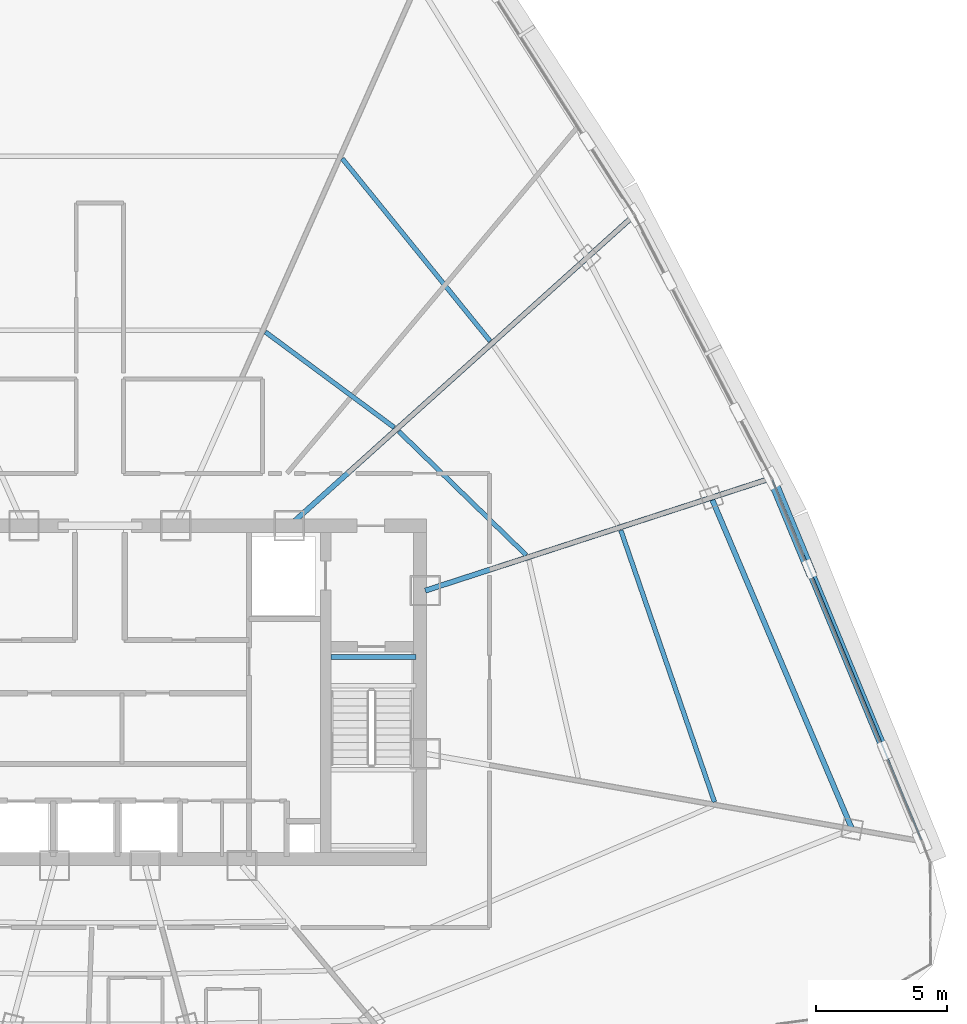
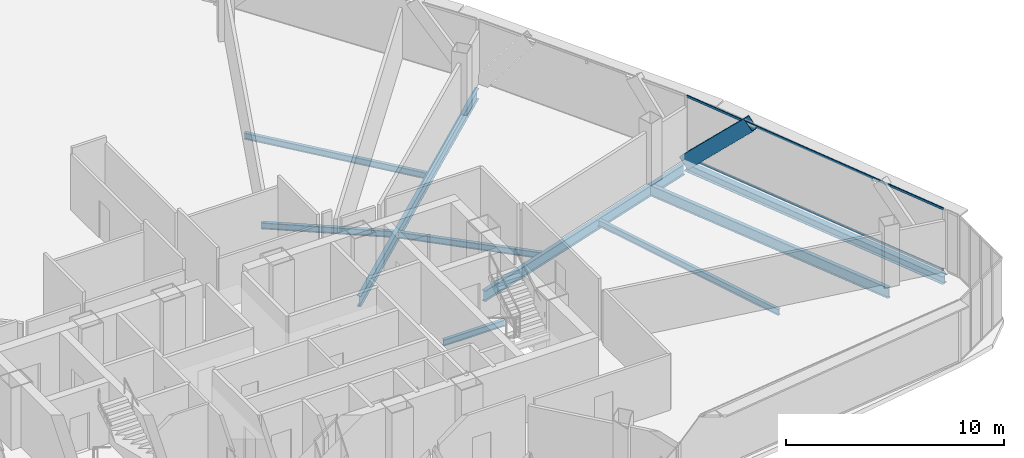
# One storey, part 17 of 40: 9 beams, 3 members, 1 element without a shape of its own.
"""IFC4 building model written with IfcOpenShell, lengths in metres."""

from ifc_helpers import new_model, si_unit, direction, frame, origin, origin_2d, place, context, subcontext, project, spatial, hollow_rectangle, i_section, extrude, source, transform, mapped, material, layer, layer_set, material_profile, profile_set, type_object, element, aggregate, save


model = new_model("IFC4")

# Units and contexts
model_context = context("Model", 3, precision=1e-05, world=origin(), true_north=direction((0.0, 1.0)))
body_context = subcontext(model_context, "Body", "Model", "MODEL_VIEW")
ifc_project = project(units=[si_unit("LENGTHUNIT", "METRE"), si_unit("AREAUNIT", "SQUARE_METRE"), si_unit("VOLUMEUNIT", "CUBIC_METRE"), si_unit("PLANEANGLEUNIT", "RADIAN"), si_unit("MASSUNIT", "GRAM", prefix="KILO"), si_unit("THERMODYNAMICTEMPERATUREUNIT", "KELVIN"), si_unit("POWERUNIT", "WATT")], contexts=[model_context])

# Site, building, storey
site_placement = place(None, origin())
site = spatial("IfcSite", under=ifc_project, at=site_placement, CompositionType="ELEMENT")
building_placement = place(site_placement, origin())
building = spatial("IfcBuilding", under=site, at=building_placement, Name="Yunzhuo Pagoda Commons", CompositionType="ELEMENT")
storey_placement = place(building_placement, frame((0.0, 0.0, 288.75)))
storey = spatial("IfcBuildingStorey", under=building, at=storey_placement, Name="L72", CompositionType="ELEMENT", Elevation=288.75)

# Beams
ifc_material_1 = material(Name="Structural steel Q355B", Category="steel")
ifc_material_profile_1 = material_profile(ifc_material_1, i_section(OverallWidth=0.175048828125, OverallDepth=0.35009765625, WebThickness=0.007080078125, FlangeThickness=0.010986328125, at=origin_2d()), Name="Structural steel Q355B")
ifc_profile_set_1 = profile_set([ifc_material_profile_1], Name="Structural steel Q355B")
beam_type_1 = type_object("IfcBeamType", Name="B-JS2 Joist HN 350x175x7x11", PredefinedType="JOIST", material=ifc_profile_set_1)
shared_shape_1 = source(origin(), body_context, "Body", "SweptSolid", [
    extrude(i_section(OverallWidth=0.175048828125, OverallDepth=0.35009765625, WebThickness=0.007080078125, FlangeThickness=0.010986328125, at=origin_2d()), origin(), (0.0, 0.0, 1.0), 3.25),
])
beam_1_placement = place(storey_placement, frame((56.800048828125, 35.199951171875, -0.375), z_axis=(1.0, 0.0, 0.0), x_axis=(0.0, 1.0, 0.0)))
element("IfcBeam", 1, at=beam_1_placement, inside=storey, type_object=beam_type_1, Name="L72 ST2 landing support beam 176B", PredefinedType="JOIST", context=body_context, shape_type="MappedRepresentation", body=[
    mapped(shared_shape_1, transform((0.0, 0.0, 0.0), scale=1.0)),
])
ifc_material_profile_2 = material_profile(ifc_material_1, i_section(OverallWidth=0.199951171875, OverallDepth=0.60009765625, WebThickness=0.010986328125, FlangeThickness=0.01708984375, at=origin_2d()), Name="Structural steel Q355B")
ifc_profile_set_2 = profile_set([ifc_material_profile_2], Name="Structural steel Q355B")
beam_type_2 = type_object("IfcBeamType", Name="B-RG3 Beam HN 600x200x11x17", PredefinedType="BEAM", material=ifc_profile_set_2)
shared_shape_2 = source(origin(), body_context, "Body", "SweptSolid", [
    extrude(i_section(OverallWidth=0.199951171875, OverallDepth=0.60009765625, WebThickness=0.010986328125, FlangeThickness=0.01708984375, at=origin_2d()), origin(), (0.0, 0.0, 1.0), 13.715576171875),
])
beam_2_placement = place(storey_placement, frame((76.66162109375, 28.646240234375, -0.56005859375), z_axis=(-0.390733146992, 0.920503996646, 0.0), x_axis=(-0.920503996646, -0.390733146992, 0.0)))
element("IfcBeam", 2, at=beam_2_placement, inside=storey, type_object=beam_type_2, Name="L72 column-ring beam 5", PredefinedType="BEAM", context=body_context, shape_type="MappedRepresentation", body=[
    mapped(shared_shape_2, transform((0.0, 0.0, 0.0), scale=1.0)),
])
shared_shape_3 = source(origin(), body_context, "Body", "SweptSolid", [
    extrude(i_section(OverallWidth=0.175048828125, OverallDepth=0.35009765625, WebThickness=0.007080078125, FlangeThickness=0.010986328125, at=origin_2d()), origin(), (0.0, 0.0, 1.0), 10.954345703125),
])
beam_3_placement = place(storey_placement, frame((71.42041015625, 29.672607421875, -0.43505859375), z_axis=(-0.325839571137, 0.945425075763, 0.0), x_axis=(-0.945425075763, -0.325839571137, 0.0)))
element("IfcBeam", 3, at=beam_3_placement, inside=storey, type_object=beam_type_1, Name="L72 composite ring joist 2.5", PredefinedType="JOIST", context=body_context, shape_type="MappedRepresentation", body=[
    mapped(shared_shape_3, transform((0.0, 0.0, 0.0), scale=1.0)),
])
shared_shape_4 = source(origin(), body_context, "Body", "SweptSolid", [
    extrude(i_section(OverallWidth=0.175048828125, OverallDepth=0.35009765625, WebThickness=0.007080078125, FlangeThickness=0.010986328125, at=origin_2d()), origin(), (0.0, 0.0, 1.0), 6.767333984375),
])
beam_4_placement = place(storey_placement, frame((64.242431640625, 39.08447265625, -0.43505859375), z_axis=(-0.717207253673, 0.696859925149, 0.0), x_axis=(-0.696859925149, -0.717207253673, 0.0)))
element("IfcBeam", 4, at=beam_4_placement, inside=storey, type_object=beam_type_1, Name="L72 composite ring joist 1.6", PredefinedType="JOIST", context=body_context, shape_type="MappedRepresentation", body=[
    mapped(shared_shape_4, transform((0.0, 0.0, 0.0), scale=1.0)),
])
shared_shape_5 = source(origin(), body_context, "Body", "SweptSolid", [
    extrude(i_section(OverallWidth=0.175048828125, OverallDepth=0.35009765625, WebThickness=0.007080078125, FlangeThickness=0.010986328125, at=origin_2d()), origin(), (0.0, 0.0, 1.0), 6.109619140625),
])
beam_5_placement = place(storey_placement, frame((59.214111328125, 43.948974609375, -0.43505859375), z_axis=(-0.803396474468, 0.595444459888, 0.0), x_axis=(-0.595444459888, -0.803396474468, 0.0)))
element("IfcBeam", 5, at=beam_5_placement, inside=storey, type_object=beam_type_1, Name="L72 composite ring joist 1.7", PredefinedType="JOIST", context=body_context, shape_type="MappedRepresentation", body=[
    mapped(shared_shape_5, transform((0.0, 0.0, 0.0), scale=1.0)),
])
shared_shape_6 = source(origin(), body_context, "Body", "SweptSolid", [
    extrude(i_section(OverallWidth=0.175048828125, OverallDepth=0.35009765625, WebThickness=0.007080078125, FlangeThickness=0.010986328125, at=origin_2d()), origin(), (0.0, 0.0, 1.0), 8.9462890625),
])
beam_6_placement = place(storey_placement, frame((62.867431640625, 47.2412109375, -0.43505859375), z_axis=(-0.629455685791, 0.777036382434, 0.0), x_axis=(-0.777036382434, -0.629455685791, 0.0)))
element("IfcBeam", 6, at=beam_6_placement, inside=storey, type_object=beam_type_1, Name="L72 composite ring joist 2.7", PredefinedType="JOIST", context=body_context, shape_type="MappedRepresentation", body=[
    mapped(shared_shape_6, transform((0.0, 0.0, 0.0), scale=1.0)),
])
shared_shape_7 = source(origin(), body_context, "Body", "SweptSolid", [
    extrude(i_section(OverallWidth=0.199951171875, OverallDepth=0.60009765625, WebThickness=0.010986328125, FlangeThickness=0.01708984375, at=origin_2d()), origin(), (0.0, 0.0, 1.0), 13.723388671875),
])
beam_7_placement = place(storey_placement, frame((73.45166015625, 41.9697265625, -0.56005859375), z_axis=(-0.951057598357, -0.309013664112, 0.0), x_axis=(0.309013664112, -0.951057598357, 0.0)))
element("IfcBeam", 7, at=beam_7_placement, inside=storey, type_object=beam_type_2, Name="L72 radial floor girder F2C2", PredefinedType="BEAM", context=body_context, shape_type="MappedRepresentation", body=[
    mapped(shared_shape_7, transform((0.0, 0.0, 0.0), scale=1.0)),
])
shared_shape_8 = source(origin(), body_context, "Body", "SweptSolid", [
    extrude(i_section(OverallWidth=0.199951171875, OverallDepth=0.60009765625, WebThickness=0.010986328125, FlangeThickness=0.01708984375, at=origin_2d()), origin(), (0.0, 0.0, 1.0), 17.5458984375),
])
beam_8_placement = place(storey_placement, frame((68.258056640625, 51.9404296875, -0.56005859375), z_axis=(-0.74314329772, -0.669132303102, 0.0), x_axis=(0.669132303102, -0.74314329772, 0.0)))
element("IfcBeam", 8, at=beam_8_placement, inside=storey, type_object=beam_type_2, Name="L72 radial floor girder F2C3", PredefinedType="BEAM", context=body_context, shape_type="MappedRepresentation", body=[
    mapped(shared_shape_8, transform((0.0, 0.0, 0.0), scale=1.0)),
])
ifc_material_profile_3 = material_profile(ifc_material_1, i_section(OverallWidth=0.300048828125, OverallDepth=0.43994140625, WebThickness=0.010986328125, FlangeThickness=0.01806640625, at=origin_2d()), Name="Structural steel Q355B")
ifc_profile_set_3 = profile_set([ifc_material_profile_3], Name="Structural steel Q355B")
beam_type_3 = type_object("IfcBeamType", Name="B-SP2 Beam HM 440x300x11x18", PredefinedType="BEAM", material=ifc_profile_set_3)
shared_shape_9 = source(origin(), body_context, "Body", "SweptSolid", [
    extrude(i_section(OverallWidth=0.300048828125, OverallDepth=0.43994140625, WebThickness=0.010986328125, FlangeThickness=0.01806640625, at=origin_2d()), origin(), (0.0, 0.0, 1.0), 14.982421875),
])
beam_9_placement = place(storey_placement, frame((79.331787109375, 28.17529296875, -0.479736328125), z_axis=(-0.382626675999, 0.923903039725, 0.0), x_axis=(-0.923903039725, -0.382626675999, 0.0)))
element("IfcBeam", 9, at=beam_9_placement, inside=storey, type_object=beam_type_3, Name="L72 facade edge spandrel beam F2.1", PredefinedType="BEAM", context=body_context, shape_type="MappedRepresentation", body=[
    mapped(shared_shape_9, transform((0.0, 0.0, 0.0), scale=1.0)),
])

# Member
ifc_material_profile_4 = material_profile(ifc_material_1, hollow_rectangle(XDim=0.3798828125, YDim=0.719970703125, WallThickness=0.02001953125, at=origin_2d()), Name="Structural steel Q355B")
ifc_profile_set_4 = profile_set([ifc_material_profile_4], Name="Structural steel Q355B")
member_type_1 = type_object("IfcMemberType", Name="M-DL3 Brace BOX 720x380x20", PredefinedType="BRACE", material=ifc_profile_set_4)
shared_shape_10 = source(origin(), body_context, "Body", "SweptSolid", [
    extrude(hollow_rectangle(XDim=0.3798828125, YDim=0.719970703125, WallThickness=0.02001953125, at=origin_2d()), origin(), (0.0, 0.0, 1.0), 5.285888671875),
])
member_1_placement = place(storey_placement, frame((73.59912109375, 42.017578125, -0.260009765625), z_axis=(0.27111603454, -0.654650540643, 0.705640677293), x_axis=(0.923904028933, 0.382624287416, 0.0)))
element("IfcMember", 10, at=member_1_placement, inside=storey, type_object=member_type_1, Name="L72 facade diamond brace F2.1R", PredefinedType="BRACE", context=body_context, shape_type="MappedRepresentation", body=[
    mapped(shared_shape_10, transform((0.0, 0.0, 0.0), scale=1.0)),
])

# Curtain wall, members
ifc_material_2 = material(Name="Anodized aluminium 6063-T6", Category="aluminium")
ifc_layer = layer(ifc_material_2, 0.139892578125)
ifc_layer_set = layer_set([ifc_layer], Name="Anodized aluminium 6063-T6")
curtain_wall_type = type_object("IfcCurtainWallType", Name="CW-HI High-Zone Ribbon Curtain Wall", PredefinedType="NOTDEFINED", material=ifc_layer_set)
curtain_wall_placement = place(storey_placement, origin())
curtain_wall = element("IfcCurtainWall", 11, at=curtain_wall_placement, inside=storey, type_object=curtain_wall_type, Name="L72 curtain wall CW-L72-F2B2", PredefinedType="NOTDEFINED")
ifc_material_profile_5 = material_profile(ifc_material_2, hollow_rectangle(XDim=0.054931640625, YDim=0.1201171875, WallThickness=0.00341796875, at=origin_2d()), Name="Anodized aluminium 6063-T6")
ifc_profile_set_5 = profile_set([ifc_material_profile_5], Name="Anodized aluminium 6063-T6")
member_type_2 = type_object("IfcMemberType", Name="CW-HI-T Transom RHS 120x55x3.5", PredefinedType="USERDEFINED", material=ifc_profile_set_5)
shared_shape_11 = source(origin(), body_context, "Body", "SweptSolid", [
    extrude(hollow_rectangle(XDim=0.054931640625, YDim=0.1201171875, WallThickness=0.00341796875, at=origin_2d()), origin(), (0.0, 0.0, 1.0), 14.862548828125),
])
member_2_placement = place(storey_placement, frame((79.308837890625, 28.230712890625, 0.027587890625), z_axis=(-0.382626960401, 0.923902921943, 0.0), x_axis=(-0.923902921943, -0.382626960401, 0.0)))
member_2 = element("IfcMember", 12, at=member_2_placement, type_object=member_type_2, Name="CW transom 1.1", ObjectType="TRANSOM", PredefinedType="USERDEFINED", context=body_context, shape_type="MappedRepresentation", body=[
    mapped(shared_shape_11, transform((0.0, 0.0, 0.0), scale=1.0)),
])
member_3_placement = place(storey_placement, frame((79.308837890625, 28.230712890625, 3.4423828125), z_axis=(-0.382626960401, 0.923902921943, 0.0), x_axis=(-0.923902921943, -0.382626960401, 0.0)))
member_3 = element("IfcMember", 13, at=member_3_placement, type_object=member_type_2, Name="CW transom 1.2", ObjectType="TRANSOM", PredefinedType="USERDEFINED", context=body_context, shape_type="MappedRepresentation", body=[
    mapped(shared_shape_11, transform((0.0, 0.0, 0.0), scale=1.0)),
])
aggregate(curtain_wall, [member_2, member_3])

save(model, "model.ifc")
